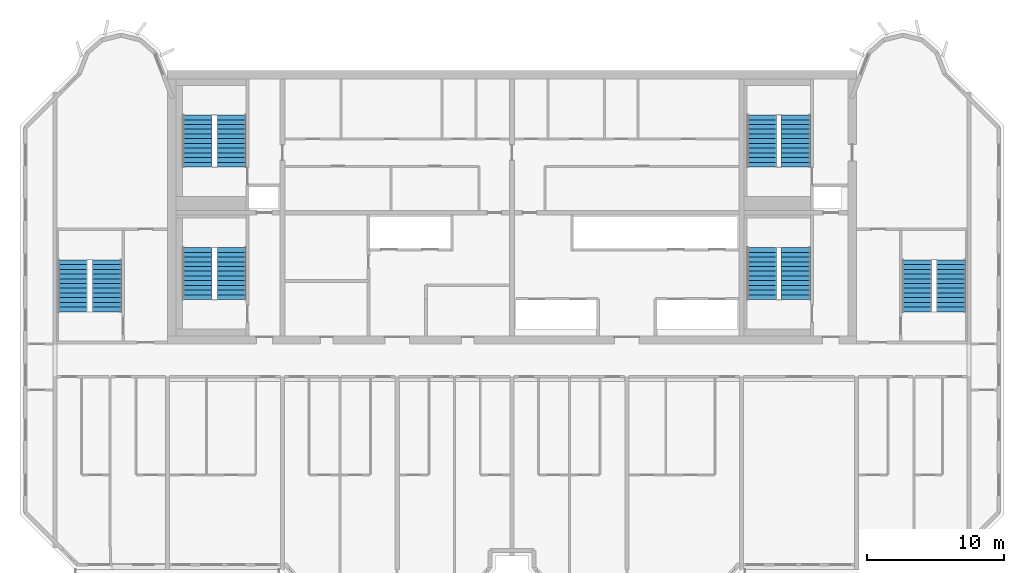
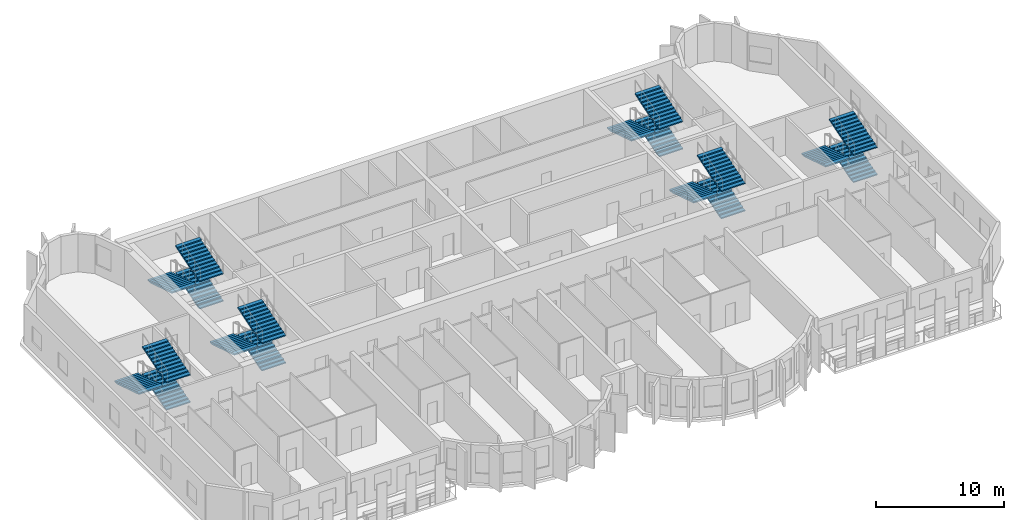
# One storey, part 9 of 11: 18 stair flights, 6 elements without a shape of their own.
"""IFC4 building model written with IfcOpenShell, lengths in metres."""

from ifc_helpers import new_model, si_unit, direction, frame, origin, place, context, subcontext, project, spatial, polyline, outline, extrude, source, transform, mapped, material, type_object, element, aggregate, save


model = new_model("IFC4")

# Units and contexts
model_context = context("Model", 3, precision=1e-05, world=origin(), true_north=direction((0.0, 1.0)))
body_context = subcontext(model_context, "Body", "Model", "MODEL_VIEW")
ifc_project = project(units=[si_unit("LENGTHUNIT", "METRE"), si_unit("AREAUNIT", "SQUARE_METRE"), si_unit("VOLUMEUNIT", "CUBIC_METRE"), si_unit("PLANEANGLEUNIT", "RADIAN"), si_unit("MASSUNIT", "GRAM", prefix="KILO")], contexts=[model_context])

# Site, building, storey
site_placement = place(None, origin())
site = spatial("IfcSite", under=ifc_project, at=site_placement, CompositionType="ELEMENT")
building_placement = place(site_placement, origin())
building = spatial("IfcBuilding", under=site, at=building_placement, Name="Vanashikhar Sky Hotel", CompositionType="ELEMENT")
storey_placement = place(building_placement, frame((0.0, 0.0, 229.60009765625)))
storey = spatial("IfcBuildingStorey", under=building, at=storey_placement, Name="L55", CompositionType="ELEMENT", Elevation=229.60009765625)

# Stair, stair flights
ifc_material = material(Name="Concrete M40", Category="concrete")
stair_type = type_object("IfcStairType", Name="Exit stair 2150", PredefinedType="DOUBLE_RETURN_STAIR", material=ifc_material)
stair_1_placement = place(storey_placement, origin())
stair_1 = element("IfcStair", 1, at=stair_1_placement, inside=storey, type_object=stair_type, Name="L55 Exit stair 1", PredefinedType="DOUBLE_RETURN_STAIR")
stair_flight_type = type_object("IfcStairFlightType", Name="Stair flight 2150", PredefinedType="STRAIGHT", material=ifc_material)
shared_shape = source(origin(), body_context, "Body", "SweptSolid", [
    extrude(outline(polyline([(0.0, 0.0), (0.0, 0.1083984375), (0.345458984375, 0.1083984375), (0.345458984375, 0.216552734375), (0.69091796875, 0.216552734375), (0.69091796875, 0.324951171875), (1.036376953125, 0.324951171875), (1.036376953125, 0.433349609375), (1.3818359375, 0.433349609375), (1.3818359375, 0.541748046875), (1.727294921875, 0.541748046875), (1.727294921875, 0.64990234375), (2.07275390625, 0.64990234375), (2.07275390625, 0.75830078125), (2.418212890625, 0.75830078125), (2.418212890625, 0.86669921875), (2.763671875, 0.86669921875), (2.763671875, 0.97509765625), (3.109130859375, 0.97509765625), (3.109130859375, 1.083251953125), (3.45458984375, 1.083251953125), (3.45458984375, 1.191650390625), (3.800048828125, 1.191650390625), (3.800048828125, 1.300048828125), (3.800048828125, 1.065673828125), (0.4013671875, 0.0), (0.0, 0.0)])), frame((0.0, 1.074951171875, 0.0), z_axis=(0.0, -1.0, 0.0), x_axis=(1.0, 0.0, 0.0)), (0.0, 0.0, 1.0), 2.14990234375),
])
stair_flight_1_placement = place(storey_placement, frame((29.875, 25.25, 0.0), z_axis=(0.0, 0.0, 1.0), x_axis=(0.0, 1.0, 0.0)))
stair_flight_1 = element("IfcStairFlight", 2, at=stair_flight_1_placement, type_object=stair_flight_type, Name="ST-C1 flight 1", NumberOfRisers=12, NumberOfTreads=11, PredefinedType="STRAIGHT", RiserHeight=0.108333333, TreadLength=0.345454545, context=body_context, shape_type="MappedRepresentation", body=[
    mapped(shared_shape, transform((0.0, 0.0, 0.0), scale=1.0)),
])
stair_flight_2_placement = place(storey_placement, frame((27.375, 29.050048828125, 1.2998046875), z_axis=(0.0, 0.0, 1.0), x_axis=(0.0, -1.0, 0.0)))
stair_flight_2 = element("IfcStairFlight", 3, at=stair_flight_2_placement, type_object=stair_flight_type, Name="ST-C1 flight 2", NumberOfRisers=12, NumberOfTreads=11, PredefinedType="STRAIGHT", RiserHeight=0.108333333, TreadLength=0.345454545, context=body_context, shape_type="MappedRepresentation", body=[
    mapped(shared_shape, transform((0.0, 0.0, 0.0), scale=1.0)),
])
stair_flight_3_placement = place(storey_placement, frame((29.875, 25.25, 2.599853515625), z_axis=(0.0, 0.0, 1.0), x_axis=(0.0, 1.0, 0.0)))
stair_flight_3 = element("IfcStairFlight", 4, at=stair_flight_3_placement, type_object=stair_flight_type, Name="ST-C1 flight 3", NumberOfRisers=12, NumberOfTreads=11, PredefinedType="STRAIGHT", RiserHeight=0.108333333, TreadLength=0.345454545, context=body_context, shape_type="MappedRepresentation", body=[
    mapped(shared_shape, transform((0.0, 0.0, 0.0), scale=1.0)),
])
aggregate(stair_1, [stair_flight_1, stair_flight_2, stair_flight_3])

stair_2_placement = place(storey_placement, origin())
stair_2 = element("IfcStair", 5, at=stair_2_placement, inside=storey, type_object=stair_type, Name="L55 Exit stair 2", PredefinedType="DOUBLE_RETURN_STAIR")
stair_flight_4_placement = place(storey_placement, frame((71.175048828125, 25.25, 0.0), z_axis=(0.0, 0.0, 1.0), x_axis=(0.0, 1.0, 0.0)))
stair_flight_4 = element("IfcStairFlight", 6, at=stair_flight_4_placement, type_object=stair_flight_type, Name="ST-C2 flight 1", NumberOfRisers=12, NumberOfTreads=11, PredefinedType="STRAIGHT", RiserHeight=0.108333333, TreadLength=0.345454545, context=body_context, shape_type="MappedRepresentation", body=[
    mapped(shared_shape, transform((0.0, 0.0, 0.0), scale=1.0)),
])
stair_flight_5_placement = place(storey_placement, frame((68.675048828125, 29.050048828125, 1.2998046875), z_axis=(0.0, 0.0, 1.0), x_axis=(0.0, -1.0, 0.0)))
stair_flight_5 = element("IfcStairFlight", 7, at=stair_flight_5_placement, type_object=stair_flight_type, Name="ST-C2 flight 2", NumberOfRisers=12, NumberOfTreads=11, PredefinedType="STRAIGHT", RiserHeight=0.108333333, TreadLength=0.345454545, context=body_context, shape_type="MappedRepresentation", body=[
    mapped(shared_shape, transform((0.0, 0.0, 0.0), scale=1.0)),
])
stair_flight_6_placement = place(storey_placement, frame((71.175048828125, 25.25, 2.599853515625), z_axis=(0.0, 0.0, 1.0), x_axis=(0.0, 1.0, 0.0)))
stair_flight_6 = element("IfcStairFlight", 8, at=stair_flight_6_placement, type_object=stair_flight_type, Name="ST-C2 flight 3", NumberOfRisers=12, NumberOfTreads=11, PredefinedType="STRAIGHT", RiserHeight=0.108333333, TreadLength=0.345454545, context=body_context, shape_type="MappedRepresentation", body=[
    mapped(shared_shape, transform((0.0, 0.0, 0.0), scale=1.0)),
])
aggregate(stair_2, [stair_flight_4, stair_flight_5, stair_flight_6])

stair_3_placement = place(storey_placement, origin())
stair_3 = element("IfcStair", 9, at=stair_3_placement, inside=storey, type_object=stair_type, Name="L55 Exit stair 3", PredefinedType="DOUBLE_RETURN_STAIR")
stair_flight_7_placement = place(storey_placement, frame((20.77490234375, 24.35009765625, 0.0), z_axis=(0.0, 0.0, 1.0), x_axis=(0.0, 1.0, 0.0)))
stair_flight_7 = element("IfcStairFlight", 10, at=stair_flight_7_placement, type_object=stair_flight_type, Name="ST-W flight 1", NumberOfRisers=12, NumberOfTreads=11, PredefinedType="STRAIGHT", RiserHeight=0.108333333, TreadLength=0.345454545, context=body_context, shape_type="MappedRepresentation", body=[
    mapped(shared_shape, transform((0.0, 0.0, 0.0), scale=1.0)),
])
stair_flight_8_placement = place(storey_placement, frame((18.27490234375, 28.14990234375, 1.2998046875), z_axis=(0.0, 0.0, 1.0), x_axis=(0.0, -1.0, 0.0)))
stair_flight_8 = element("IfcStairFlight", 11, at=stair_flight_8_placement, type_object=stair_flight_type, Name="ST-W flight 2", NumberOfRisers=12, NumberOfTreads=11, PredefinedType="STRAIGHT", RiserHeight=0.108333333, TreadLength=0.345454545, context=body_context, shape_type="MappedRepresentation", body=[
    mapped(shared_shape, transform((0.0, 0.0, 0.0), scale=1.0)),
])
stair_flight_9_placement = place(storey_placement, frame((20.77490234375, 24.35009765625, 2.599853515625), z_axis=(0.0, 0.0, 1.0), x_axis=(0.0, 1.0, 0.0)))
stair_flight_9 = element("IfcStairFlight", 12, at=stair_flight_9_placement, type_object=stair_flight_type, Name="ST-W flight 3", NumberOfRisers=12, NumberOfTreads=11, PredefinedType="STRAIGHT", RiserHeight=0.108333333, TreadLength=0.345454545, context=body_context, shape_type="MappedRepresentation", body=[
    mapped(shared_shape, transform((0.0, 0.0, 0.0), scale=1.0)),
])
aggregate(stair_3, [stair_flight_7, stair_flight_8, stair_flight_9])

stair_4_placement = place(storey_placement, origin())
stair_4 = element("IfcStair", 13, at=stair_4_placement, inside=storey, type_object=stair_type, Name="L55 Exit stair 4", PredefinedType="DOUBLE_RETURN_STAIR")
stair_flight_10_placement = place(storey_placement, frame((82.52490234375, 24.35009765625, 0.0), z_axis=(0.0, 0.0, 1.0), x_axis=(0.0, 1.0, 0.0)))
stair_flight_10 = element("IfcStairFlight", 14, at=stair_flight_10_placement, type_object=stair_flight_type, Name="ST-E flight 1", NumberOfRisers=12, NumberOfTreads=11, PredefinedType="STRAIGHT", RiserHeight=0.108333333, TreadLength=0.345454545, context=body_context, shape_type="MappedRepresentation", body=[
    mapped(shared_shape, transform((0.0, 0.0, 0.0), scale=1.0)),
])
stair_flight_11_placement = place(storey_placement, frame((80.02490234375, 28.14990234375, 1.2998046875), z_axis=(0.0, 0.0, 1.0), x_axis=(0.0, -1.0, 0.0)))
stair_flight_11 = element("IfcStairFlight", 15, at=stair_flight_11_placement, type_object=stair_flight_type, Name="ST-E flight 2", NumberOfRisers=12, NumberOfTreads=11, PredefinedType="STRAIGHT", RiserHeight=0.108333333, TreadLength=0.345454545, context=body_context, shape_type="MappedRepresentation", body=[
    mapped(shared_shape, transform((0.0, 0.0, 0.0), scale=1.0)),
])
stair_flight_12_placement = place(storey_placement, frame((82.52490234375, 24.35009765625, 2.599853515625), z_axis=(0.0, 0.0, 1.0), x_axis=(0.0, 1.0, 0.0)))
stair_flight_12 = element("IfcStairFlight", 16, at=stair_flight_12_placement, type_object=stair_flight_type, Name="ST-E flight 3", NumberOfRisers=12, NumberOfTreads=11, PredefinedType="STRAIGHT", RiserHeight=0.108333333, TreadLength=0.345454545, context=body_context, shape_type="MappedRepresentation", body=[
    mapped(shared_shape, transform((0.0, 0.0, 0.0), scale=1.0)),
])
aggregate(stair_4, [stair_flight_10, stair_flight_11, stair_flight_12])

stair_5_placement = place(storey_placement, origin())
stair_5 = element("IfcStair", 17, at=stair_5_placement, inside=storey, type_object=stair_type, Name="L55 Exit stair 5", PredefinedType="DOUBLE_RETURN_STAIR")
stair_flight_13_placement = place(storey_placement, frame((29.875, 34.949951171875, 0.0), z_axis=(0.0, 0.0, 1.0), x_axis=(0.0, 1.0, 0.0)))
stair_flight_13 = element("IfcStairFlight", 18, at=stair_flight_13_placement, type_object=stair_flight_type, Name="ST-C3 flight 1", NumberOfRisers=12, NumberOfTreads=11, PredefinedType="STRAIGHT", RiserHeight=0.108333333, TreadLength=0.345454545, context=body_context, shape_type="MappedRepresentation", body=[
    mapped(shared_shape, transform((0.0, 0.0, 0.0), scale=1.0)),
])
stair_flight_14_placement = place(storey_placement, frame((27.375, 38.75, 1.2998046875), z_axis=(0.0, 0.0, 1.0), x_axis=(0.0, -1.0, 0.0)))
stair_flight_14 = element("IfcStairFlight", 19, at=stair_flight_14_placement, type_object=stair_flight_type, Name="ST-C3 flight 2", NumberOfRisers=12, NumberOfTreads=11, PredefinedType="STRAIGHT", RiserHeight=0.108333333, TreadLength=0.345454545, context=body_context, shape_type="MappedRepresentation", body=[
    mapped(shared_shape, transform((0.0, 0.0, 0.0), scale=1.0)),
])
stair_flight_15_placement = place(storey_placement, frame((29.875, 34.949951171875, 2.599853515625), z_axis=(0.0, 0.0, 1.0), x_axis=(0.0, 1.0, 0.0)))
stair_flight_15 = element("IfcStairFlight", 20, at=stair_flight_15_placement, type_object=stair_flight_type, Name="ST-C3 flight 3", NumberOfRisers=12, NumberOfTreads=11, PredefinedType="STRAIGHT", RiserHeight=0.108333333, TreadLength=0.345454545, context=body_context, shape_type="MappedRepresentation", body=[
    mapped(shared_shape, transform((0.0, 0.0, 0.0), scale=1.0)),
])
aggregate(stair_5, [stair_flight_13, stair_flight_14, stair_flight_15])

stair_6_placement = place(storey_placement, origin())
stair_6 = element("IfcStair", 21, at=stair_6_placement, inside=storey, type_object=stair_type, Name="L55 Exit stair 6", PredefinedType="DOUBLE_RETURN_STAIR")
stair_flight_16_placement = place(storey_placement, frame((71.175048828125, 34.949951171875, 0.0), z_axis=(0.0, 0.0, 1.0), x_axis=(0.0, 1.0, 0.0)))
stair_flight_16 = element("IfcStairFlight", 22, at=stair_flight_16_placement, type_object=stair_flight_type, Name="ST-C4 flight 1", NumberOfRisers=12, NumberOfTreads=11, PredefinedType="STRAIGHT", RiserHeight=0.108333333, TreadLength=0.345454545, context=body_context, shape_type="MappedRepresentation", body=[
    mapped(shared_shape, transform((0.0, 0.0, 0.0), scale=1.0)),
])
stair_flight_17_placement = place(storey_placement, frame((68.675048828125, 38.75, 1.2998046875), z_axis=(0.0, 0.0, 1.0), x_axis=(0.0, -1.0, 0.0)))
stair_flight_17 = element("IfcStairFlight", 23, at=stair_flight_17_placement, type_object=stair_flight_type, Name="ST-C4 flight 2", NumberOfRisers=12, NumberOfTreads=11, PredefinedType="STRAIGHT", RiserHeight=0.108333333, TreadLength=0.345454545, context=body_context, shape_type="MappedRepresentation", body=[
    mapped(shared_shape, transform((0.0, 0.0, 0.0), scale=1.0)),
])
stair_flight_18_placement = place(storey_placement, frame((71.175048828125, 34.949951171875, 2.599853515625), z_axis=(0.0, 0.0, 1.0), x_axis=(0.0, 1.0, 0.0)))
stair_flight_18 = element("IfcStairFlight", 24, at=stair_flight_18_placement, type_object=stair_flight_type, Name="ST-C4 flight 3", NumberOfRisers=12, NumberOfTreads=11, PredefinedType="STRAIGHT", RiserHeight=0.108333333, TreadLength=0.345454545, context=body_context, shape_type="MappedRepresentation", body=[
    mapped(shared_shape, transform((0.0, 0.0, 0.0), scale=1.0)),
])
aggregate(stair_6, [stair_flight_16, stair_flight_17, stair_flight_18])

save(model, "model.ifc")
